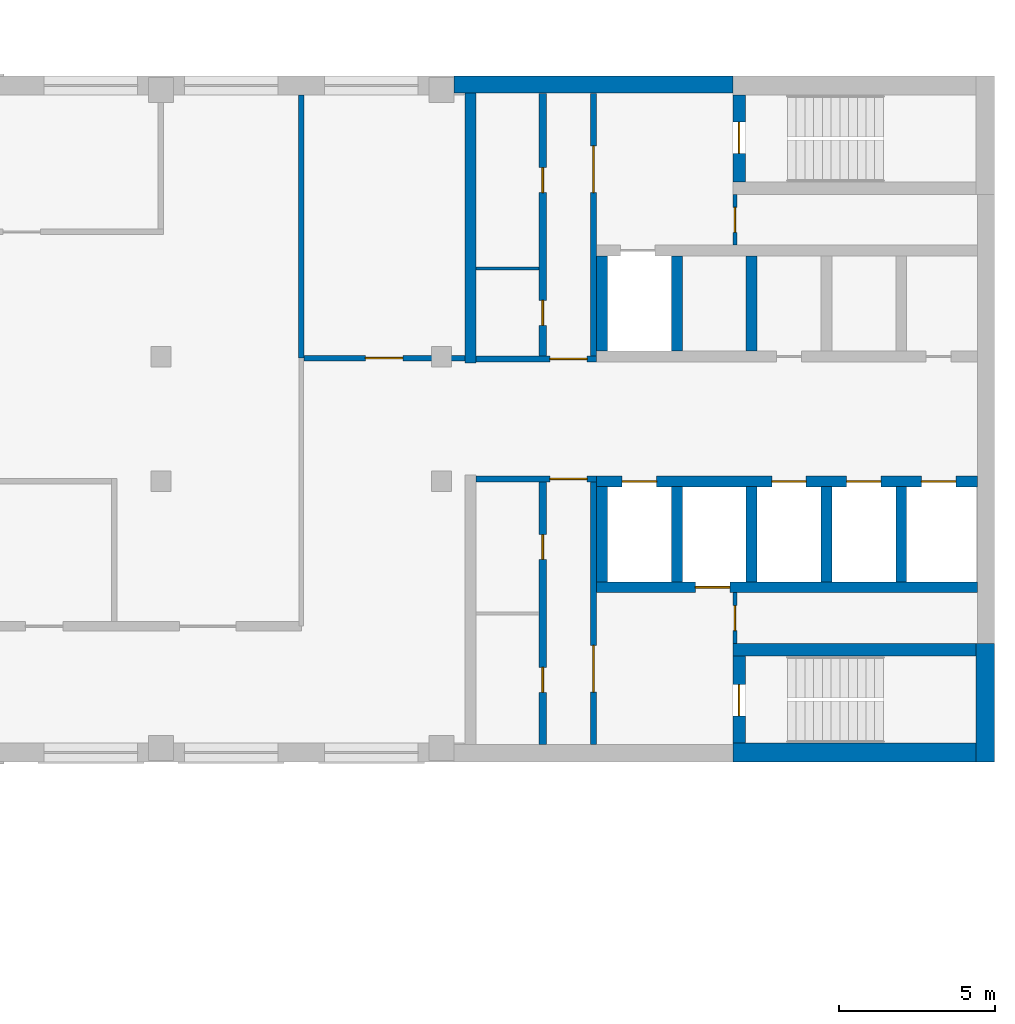
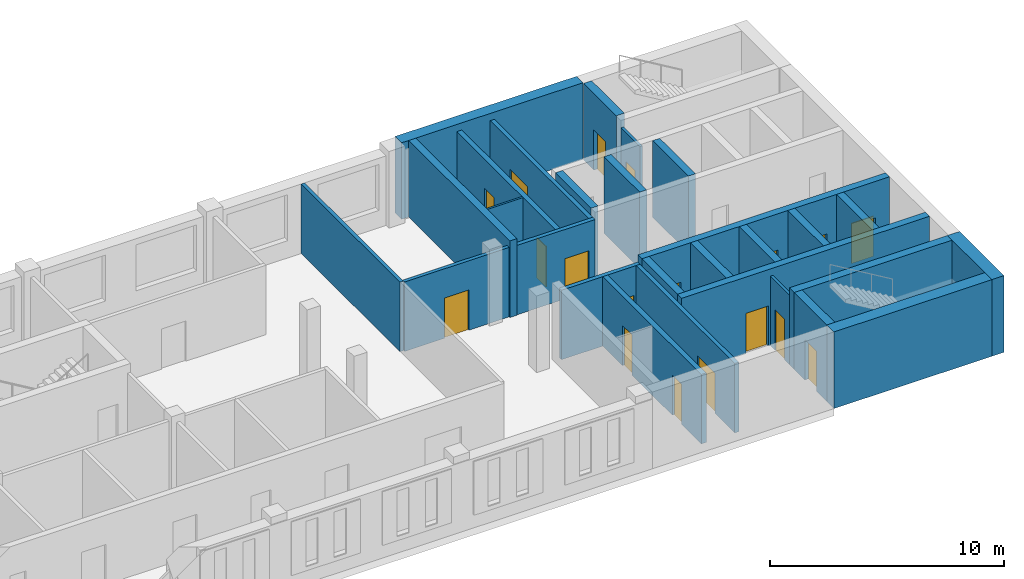
# One storey, part 6 of 11: 28 walls, 18 doors, 18 openings.
"""IFC4 building model written with IfcOpenShell, lengths in metres."""

from ifc_helpers import new_model, si_unit, direction, frame, frame_2d, origin, place, context, subcontext, project, spatial, rectangle, extrude, material, layer, layer_set, type_object, element, fill, save


model = new_model("IFC4")

# Units and contexts
model_context = context("Model", 3, precision=1e-05, world=origin(), true_north=direction((0.0, 1.0)))
body_context = subcontext(model_context, "Body", "Model", "MODEL_VIEW")
ifc_project = project(units=[si_unit("LENGTHUNIT", "METRE"), si_unit("AREAUNIT", "SQUARE_METRE"), si_unit("VOLUMEUNIT", "CUBIC_METRE"), si_unit("PLANEANGLEUNIT", "RADIAN"), si_unit("MASSUNIT", "GRAM", prefix="KILO")], contexts=[model_context])

# Site, building, storey
site_placement = place(None, origin())
site = spatial("IfcSite", under=ifc_project, at=site_placement, CompositionType="ELEMENT")
building_placement = place(site_placement, origin())
building = spatial("IfcBuilding", under=site, at=building_placement, Name="Skarvind Civic Tower", CompositionType="ELEMENT")
storey_placement = place(building_placement, frame((0.0, 0.0, 142.5)))
storey = spatial("IfcBuildingStorey", under=building, at=storey_placement, Name="L33", CompositionType="ELEMENT", Elevation=142.5)

# Wall
ifc_material_1 = material(Name="Acoustic gypsum board on steel studs", Category="steel")
ifc_layer_1 = layer(ifc_material_1, 0.175048828125)
ifc_layer_set_1 = layer_set([ifc_layer_1], Name="ACOUSTIC MEETING-ROOM PARTITION 175")
wall_type_1 = type_object("IfcWallType", Name="ACOUSTIC MEETING-ROOM PARTITION 175", PredefinedType="PARTITIONING", material=ifc_layer_set_1)
wall_1_placement = place(storey_placement, frame((85.75, 129.949951171875, 0.0), z_axis=(0.0, 0.0, 1.0), x_axis=(0.0, 1.0, 0.0)))
element("IfcWall", 1, at=wall_1_placement, inside=storey, type_object=wall_type_1, Name="Partition 33.048", PredefinedType="PARTITIONING", context=body_context, shape_type="SweptSolid", body=[
    extrude(rectangle(XDim=8.449951171875, YDim=0.175048828125, at=frame_2d((4.22509765625, 0.0))), origin(), (0.0, 0.0, 1.0), 3.625),
])

# Wall, opening, door
wall_2_placement = place(storey_placement, frame((85.837890625, 129.949951171875, 0.0), z_axis=(0.0, 0.0, 1.0), x_axis=(1.0, 0.0, 0.0)))
wall_2 = element("IfcWall", 2, at=wall_2_placement, inside=storey, type_object=wall_type_1, Name="Partition 33.049", PredefinedType="PARTITIONING", context=body_context, shape_type="SweptSolid", body=[
    extrude(rectangle(XDim=5.162109375, YDim=0.175048828125, at=frame_2d((2.5810546875, 0.0))), origin(), (0.0, 0.0, 1.0), 3.625),
])
opening_1_placement = place(wall_2_placement, frame((1.970947265625, 0.0, 0.0)))
opening_1 = element("IfcOpeningElement", 3, at=opening_1_placement, cuts=wall_2, Name="Opening L33-D001", PredefinedType="OPENING", context=body_context, shape_type="SweptSolid", body=[
    extrude(rectangle(XDim=1.199951171875, YDim=2.10009765625, at=frame_2d((0.60009765625, 1.050048828125))), frame((0.0, 0.097412109375, 0.0), z_axis=(0.0, -1.0, 0.0), x_axis=(1.0, 0.0, 0.0)), (0.0, 0.0, 1.0), 0.195068359375),
])
ifc_material_2 = material(Name="Timber door leaf", Category="wood")
door_type_1 = type_object("IfcDoorType", Name="DOOR 1200X2100 DOUBLE TIMBER", OperationType="NOTDEFINED", PredefinedType="DOOR", material=ifc_material_2)
door_1_placement = place(opening_1_placement, origin())
door_1 = element("IfcDoor", 4, at=door_1_placement, inside=storey, type_object=door_type_1, Name="Door L33-D001", OperationType="DOUBLE_DOOR_SINGLE_SWING", OverallHeight=2.10009765625, OverallWidth=1.199951171875, PredefinedType="DOOR", context=body_context, shape_type="SweptSolid", body=[
    extrude(rectangle(XDim=1.199951171875, YDim=2.10009765625, at=frame_2d((0.60009765625, 1.050048828125))), frame((0.0, 0.02490234375, 0.0), z_axis=(0.0, -1.0, 0.0), x_axis=(1.0, 0.0, 0.0)), (0.0, 0.0, 1.0), 0.050048828125),
])
fill(opening_1, door_1)

ifc_material_3 = material(Name="Fire-rated masonry partition", Category="masonry")
ifc_layer_2 = layer(ifc_material_3, 0.199951171875)
ifc_layer_set_2 = layer_set([ifc_layer_2], Name="Core enclosure wall 200")
wall_type_2 = type_object("IfcWallType", Name="Core enclosure wall 200", PredefinedType="PARTITIONING", material=ifc_layer_set_2)
wall_3_placement = place(storey_placement, frame((95.22509765625, 126.074951171875, 0.0), z_axis=(0.0, 0.0, 1.0), x_axis=(-1.0, 0.0, 0.0)))
wall_3 = element("IfcWall", 5, at=wall_3_placement, inside=storey, type_object=wall_type_2, Name="Core wall C1", PredefinedType="PARTITIONING", context=body_context, shape_type="SweptSolid", body=[
    extrude(rectangle(XDim=3.875, YDim=0.199951171875, at=frame_2d((1.9375, 0.0))), origin(), (0.0, 0.0, 1.0), 3.625),
])
opening_2_placement = place(wall_3_placement, frame((0.300048828125, 0.0, 0.0)))
opening_2 = element("IfcOpeningElement", 6, at=opening_2_placement, cuts=wall_3, Name="Opening D-L33-C1-07", PredefinedType="OPENING", context=body_context, shape_type="SweptSolid", body=[
    extrude(rectangle(XDim=1.199951171875, YDim=2.10009765625, at=frame_2d((0.60009765625, 1.050048828125))), frame((0.0, 0.10986328125, 0.0), z_axis=(0.0, -1.0, 0.0), x_axis=(1.0, 0.0, 0.0)), (0.0, 0.0, 1.0), 0.219970703125),
])
ifc_material_4 = material(Name="Fire-rated steel door", Category="steel")
door_type_2 = type_object("IfcDoorType", Name="Core lobby door 1200", OperationType="NOTDEFINED", PredefinedType="DOOR", material=ifc_material_4)
door_2_placement = place(opening_2_placement, origin())
door_2 = element("IfcDoor", 7, at=door_2_placement, inside=storey, type_object=door_type_2, Name="Fire door", OperationType="DOUBLE_DOOR_SINGLE_SWING", OverallHeight=2.10009765625, OverallWidth=1.199951171875, PredefinedType="DOOR", context=body_context, shape_type="SweptSolid", body=[
    extrude(rectangle(XDim=1.199951171875, YDim=2.10009765625, at=frame_2d((0.60009765625, 1.050048828125))), frame((0.0, 0.02490234375, 0.0), z_axis=(0.0, -1.0, 0.0), x_axis=(1.0, 0.0, 0.0)), (0.0, 0.0, 1.0), 0.050048828125),
])
fill(opening_2, door_2)

wall_4_placement = place(storey_placement, frame((95.125, 117.550048828125, 0.0), z_axis=(0.0, 0.0, 1.0), x_axis=(0.0, 1.0, 0.0)))
wall_4 = element("IfcWall", 8, at=wall_4_placement, inside=storey, type_object=wall_type_2, Name="Core wall C1", PredefinedType="PARTITIONING", context=body_context, shape_type="SweptSolid", body=[
    extrude(rectangle(XDim=8.425048828125, YDim=0.199951171875, at=frame_2d((4.21240234375, 0.0))), origin(), (0.0, 0.0, 1.0), 3.625),
])
opening_3_placement = place(wall_4_placement, frame((1.6875, 0.0, 0.0)))
opening_3 = element("IfcOpeningElement", 9, at=opening_3_placement, cuts=wall_4, Name="Opening D-L33-C1-08", PredefinedType="OPENING", context=body_context, shape_type="SweptSolid", body=[
    extrude(rectangle(XDim=1.5, YDim=2.10009765625, at=frame_2d((0.75, 1.050048828125))), frame((0.0, 0.10986328125, 0.0), z_axis=(0.0, -1.0, 0.0), x_axis=(1.0, 0.0, 0.0)), (0.0, 0.0, 1.0), 0.219970703125),
])
door_type_3 = type_object("IfcDoorType", Name="Fire door 1500", OperationType="NOTDEFINED", PredefinedType="DOOR", material=ifc_material_4)
door_3_placement = place(opening_3_placement, origin())
door_3 = element("IfcDoor", 10, at=door_3_placement, inside=storey, type_object=door_type_3, Name="Fire door", OperationType="DOUBLE_DOOR_SINGLE_SWING", OverallHeight=2.10009765625, OverallWidth=1.5, PredefinedType="DOOR", context=body_context, shape_type="SweptSolid", body=[
    extrude(rectangle(XDim=1.5, YDim=2.10009765625, at=frame_2d((0.75, 1.050048828125))), frame((0.0, 0.02490234375, 0.0), z_axis=(0.0, -1.0, 0.0), x_axis=(1.0, 0.0, 0.0)), (0.0, 0.0, 1.0), 0.050048828125),
])
fill(opening_3, door_3)

wall_5_placement = place(storey_placement, frame((91.35009765625, 129.925048828125, 0.0), z_axis=(0.0, 0.0, 1.0), x_axis=(1.0, 0.0, 0.0)))
wall_5 = element("IfcWall", 11, at=wall_5_placement, inside=storey, type_object=wall_type_2, Name="Core wall C1", PredefinedType="PARTITIONING", context=body_context, shape_type="SweptSolid", body=[
    extrude(rectangle(XDim=3.875, YDim=0.199951171875, at=frame_2d((1.9375, 0.0))), origin(), (0.0, 0.0, 1.0), 3.625),
])
opening_4_placement = place(wall_5_placement, frame((2.375, 0.0, 0.0)))
opening_4 = element("IfcOpeningElement", 12, at=opening_4_placement, cuts=wall_5, Name="Opening D-L33-C1-13", PredefinedType="OPENING", context=body_context, shape_type="SweptSolid", body=[
    extrude(rectangle(XDim=1.199951171875, YDim=2.10009765625, at=frame_2d((0.60009765625, 1.050048828125))), frame((0.0, 0.10986328125, 0.0), z_axis=(0.0, -1.0, 0.0), x_axis=(1.0, 0.0, 0.0)), (0.0, 0.0, 1.0), 0.219970703125),
])
door_4_placement = place(opening_4_placement, origin())
door_4 = element("IfcDoor", 13, at=door_4_placement, inside=storey, type_object=door_type_2, Name="Fire door", OperationType="DOUBLE_DOOR_SINGLE_SWING", OverallHeight=2.10009765625, OverallWidth=1.199951171875, PredefinedType="DOOR", context=body_context, shape_type="SweptSolid", body=[
    extrude(rectangle(XDim=1.199951171875, YDim=2.10009765625, at=frame_2d((0.60009765625, 1.050048828125))), frame((0.0, 0.02490234375, 0.0), z_axis=(0.0, -1.0, 0.0), x_axis=(1.0, 0.0, 0.0)), (0.0, 0.0, 1.0), 0.050048828125),
])
fill(opening_4, door_4)

wall_6_placement = place(storey_placement, frame((95.125, 130.02490234375, 0.0), z_axis=(0.0, 0.0, 1.0), x_axis=(0.0, 1.0, 0.0)))
wall_6 = element("IfcWall", 14, at=wall_6_placement, inside=storey, type_object=wall_type_2, Name="Core wall C1", PredefinedType="PARTITIONING", context=body_context, shape_type="SweptSolid", body=[
    extrude(rectangle(XDim=8.425048828125, YDim=0.199951171875, at=frame_2d((4.21240234375, 0.0))), origin(), (0.0, 0.0, 1.0), 3.625),
])
opening_5_placement = place(wall_6_placement, frame((5.237548828125, 0.0, 0.0)))
opening_5 = element("IfcOpeningElement", 15, at=opening_5_placement, cuts=wall_6, Name="Opening D-L33-C1-14", PredefinedType="OPENING", context=body_context, shape_type="SweptSolid", body=[
    extrude(rectangle(XDim=1.5, YDim=2.10009765625, at=frame_2d((0.75, 1.050048828125))), frame((0.0, 0.10986328125, 0.0), z_axis=(0.0, -1.0, 0.0), x_axis=(1.0, 0.0, 0.0)), (0.0, 0.0, 1.0), 0.219970703125),
])
door_5_placement = place(opening_5_placement, origin())
door_5 = element("IfcDoor", 16, at=door_5_placement, inside=storey, type_object=door_type_3, Name="Fire door", OperationType="DOUBLE_DOOR_SINGLE_SWING", OverallHeight=2.10009765625, OverallWidth=1.5, PredefinedType="DOOR", context=body_context, shape_type="SweptSolid", body=[
    extrude(rectangle(XDim=1.5, YDim=2.10009765625, at=frame_2d((0.75, 1.050048828125))), frame((0.0, 0.02490234375, 0.0), z_axis=(0.0, -1.0, 0.0), x_axis=(1.0, 0.0, 0.0)), (0.0, 0.0, 1.0), 0.050048828125),
])
fill(opening_5, door_5)

# Walls
ifc_material_5 = material(Name="Fire-rated plasterboard partition")
ifc_layer_3 = layer(ifc_material_5, 0.10009765625)
ifc_layer_set_3 = layer_set([ifc_layer_3], Name="Core partition wall 100")
wall_type_3 = type_object("IfcWallType", Name="Core partition wall 100", PredefinedType="PARTITIONING", material=ifc_layer_set_3)
wall_7_placement = place(storey_placement, frame((91.35009765625, 132.830078125, 0.0), z_axis=(0.0, 0.0, 1.0), x_axis=(1.0, 0.0, 0.0)))
element("IfcWall", 17, at=wall_7_placement, inside=storey, type_object=wall_type_3, Name="Core wall C1", PredefinedType="PARTITIONING", context=body_context, shape_type="SweptSolid", body=[
    extrude(rectangle(XDim=2.02490234375, YDim=0.10009765625, at=frame_2d((1.012451171875, 0.0))), origin(), (0.0, 0.0, 1.0), 3.625),
])
ifc_material_6 = material(Name="Concrete C60", Category="concrete")
ifc_layer_4 = layer(ifc_material_6, 0.35009765625)
ifc_layer_set_4 = layer_set([ifc_layer_4], Name="Core wall 350 C60")
wall_type_4 = type_object("IfcWallType", Name="Core wall 350 C60", PredefinedType="SHEAR", material=ifc_layer_set_4)
for number, where, z_axis, x_axis, name in (
    (18, (100.199951171875, 133.22509765625, 0.0), (0.0, 0.0, 1.0), (0.0, -1.0, 0.0), "Core wall C1 south lift row division 3 L33"),
    (19, (97.800048828125, 133.22509765625, 0.0), (0.0, 0.0, 1.0), (0.0, -1.0, 0.0), "Core wall C1 south lift row division 4 L33"),
    (20, (95.39990234375, 133.22509765625, 0.0), (0.0, 0.0, 1.0), (0.0, -1.0, 0.0), "Core wall C1 south lift row division 5 L33"),
):
    element("IfcWall", number, at=place(storey_placement, frame(where, z_axis=z_axis, x_axis=x_axis)), inside=storey, type_object=wall_type_4, Name=name, PredefinedType="SHEAR", context=body_context, shape_type="SweptSolid", body=[
        extrude(rectangle(XDim=3.050048828125, YDim=0.35009765625, at=frame_2d((1.52490234375, 0.0))), origin(), (0.0, 0.0, 1.0), 4.0),
    ])

# Wall, openings, doors
wall_8_placement = place(storey_placement, frame((107.449951171875, 126.0, 0.0), z_axis=(0.0, 0.0, 1.0), x_axis=(-1.0, 0.0, 0.0)))
wall_8 = element("IfcWall", 21, at=wall_8_placement, inside=storey, type_object=wall_type_4, Name="Core wall C1 north lift row front L33", PredefinedType="SHEAR", context=body_context, shape_type="SweptSolid", body=[
    extrude(rectangle(XDim=12.224853515625, YDim=0.35009765625, at=frame_2d((6.1123046875, 0.0))), origin(), (0.0, 0.0, 1.0), 4.0),
])
opening_6_placement = place(wall_8_placement, frame((0.699951171875, 0.0, 0.0)))
opening_6 = element("IfcOpeningElement", 22, at=opening_6_placement, cuts=wall_8, Name="Opening LD35101", PredefinedType="OPENING", context=body_context, shape_type="SweptSolid", body=[
    extrude(rectangle(XDim=1.10009765625, YDim=2.10009765625, at=frame_2d((0.550048828125, 1.050048828125))), frame((0.0, 0.18505859375, 0.0), z_axis=(0.0, -1.0, 0.0), x_axis=(1.0, 0.0, 0.0)), (0.0, 0.0, 1.0), 0.3701171875),
])
opening_7_placement = place(wall_8_placement, frame((3.10009765625, 0.0, 0.0)))
opening_7 = element("IfcOpeningElement", 23, at=opening_7_placement, cuts=wall_8, Name="Opening LD35102", PredefinedType="OPENING", context=body_context, shape_type="SweptSolid", body=[
    extrude(rectangle(XDim=1.10009765625, YDim=2.10009765625, at=frame_2d((0.550048828125, 1.050048828125))), frame((0.0, 0.18505859375, 0.0), z_axis=(0.0, -1.0, 0.0), x_axis=(1.0, 0.0, 0.0)), (0.0, 0.0, 1.0), 0.3701171875),
])
opening_8_placement = place(wall_8_placement, frame((5.5, 0.0, 0.0)))
opening_8 = element("IfcOpeningElement", 24, at=opening_8_placement, cuts=wall_8, Name="Opening LD35103", PredefinedType="OPENING", context=body_context, shape_type="SweptSolid", body=[
    extrude(rectangle(XDim=1.10009765625, YDim=2.10009765625, at=frame_2d((0.550048828125, 1.050048828125))), frame((0.0, 0.18505859375, 0.0), z_axis=(0.0, -1.0, 0.0), x_axis=(1.0, 0.0, 0.0)), (0.0, 0.0, 1.0), 0.3701171875),
])
opening_9_placement = place(wall_8_placement, frame((10.300048828125, 0.0, 0.0)))
opening_9 = element("IfcOpeningElement", 25, at=opening_9_placement, cuts=wall_8, Name="Opening LD35105", PredefinedType="OPENING", context=body_context, shape_type="SweptSolid", body=[
    extrude(rectangle(XDim=1.10009765625, YDim=2.10009765625, at=frame_2d((0.550048828125, 1.050048828125))), frame((0.0, 0.18505859375, 0.0), z_axis=(0.0, -1.0, 0.0), x_axis=(1.0, 0.0, 0.0)), (0.0, 0.0, 1.0), 0.3701171875),
])
ifc_material_7 = material(Name="Stainless steel landing door", Category="steel")
door_type_4 = type_object("IfcDoorType", Name="Lift landing door 1100", OperationType="DOUBLE_DOOR_SLIDING", PredefinedType="DOOR", material=ifc_material_7)
door_6_placement = place(opening_6_placement, origin())
door_6 = element("IfcDoor", 26, at=door_6_placement, inside=storey, type_object=door_type_4, Name="Lift landing door", OperationType="DOUBLE_DOOR_SLIDING", OverallHeight=2.10009765625, OverallWidth=1.10009765625, PredefinedType="DOOR", context=body_context, shape_type="SweptSolid", body=[
    extrude(rectangle(XDim=1.10009765625, YDim=2.10009765625, at=frame_2d((0.550048828125, 1.050048828125))), frame((0.0, 0.02490234375, 0.0), z_axis=(0.0, -1.0, 0.0), x_axis=(1.0, 0.0, 0.0)), (0.0, 0.0, 1.0), 0.050048828125),
])
fill(opening_6, door_6)
door_7_placement = place(opening_7_placement, origin())
door_7 = element("IfcDoor", 27, at=door_7_placement, inside=storey, type_object=door_type_4, Name="Lift landing door", OperationType="DOUBLE_DOOR_SLIDING", OverallHeight=2.10009765625, OverallWidth=1.10009765625, PredefinedType="DOOR", context=body_context, shape_type="SweptSolid", body=[
    extrude(rectangle(XDim=1.10009765625, YDim=2.10009765625, at=frame_2d((0.550048828125, 1.050048828125))), frame((0.0, 0.02490234375, 0.0), z_axis=(0.0, -1.0, 0.0), x_axis=(1.0, 0.0, 0.0)), (0.0, 0.0, 1.0), 0.050048828125),
])
fill(opening_7, door_7)
door_8_placement = place(opening_8_placement, origin())
door_8 = element("IfcDoor", 28, at=door_8_placement, inside=storey, type_object=door_type_4, Name="Lift landing door", OperationType="DOUBLE_DOOR_SLIDING", OverallHeight=2.10009765625, OverallWidth=1.10009765625, PredefinedType="DOOR", context=body_context, shape_type="SweptSolid", body=[
    extrude(rectangle(XDim=1.10009765625, YDim=2.10009765625, at=frame_2d((0.550048828125, 1.050048828125))), frame((0.0, 0.02490234375, 0.0), z_axis=(0.0, -1.0, 0.0), x_axis=(1.0, 0.0, 0.0)), (0.0, 0.0, 1.0), 0.050048828125),
])
fill(opening_8, door_8)
door_9_placement = place(opening_9_placement, origin())
door_9 = element("IfcDoor", 29, at=door_9_placement, inside=storey, type_object=door_type_4, Name="Lift landing door", OperationType="DOUBLE_DOOR_SLIDING", OverallHeight=2.10009765625, OverallWidth=1.10009765625, PredefinedType="DOOR", context=body_context, shape_type="SweptSolid", body=[
    extrude(rectangle(XDim=1.10009765625, YDim=2.10009765625, at=frame_2d((0.550048828125, 1.050048828125))), frame((0.0, 0.02490234375, 0.0), z_axis=(0.0, -1.0, 0.0), x_axis=(1.0, 0.0, 0.0)), (0.0, 0.0, 1.0), 0.050048828125),
])
fill(opening_9, door_9)

# Wall, opening, door
wall_9_placement = place(storey_placement, frame((107.449951171875, 122.60009765625, 0.0), z_axis=(0.0, 0.0, 1.0), x_axis=(-1.0, 0.0, 0.0)))
wall_9 = element("IfcWall", 30, at=wall_9_placement, inside=storey, type_object=wall_type_4, Name="Core wall C1 north lift row back L33", PredefinedType="SHEAR", context=body_context, shape_type="SweptSolid", body=[
    extrude(rectangle(XDim=12.224853515625, YDim=0.35009765625, at=frame_2d((6.1123046875, 0.0))), origin(), (0.0, 0.0, 1.0), 4.0),
])
opening_10_placement = place(wall_9_placement, frame((7.949951171875, 0.0, 0.0)))
opening_10 = element("IfcOpeningElement", 31, at=opening_10_placement, cuts=wall_9, Name="Opening LD35104", PredefinedType="OPENING", context=body_context, shape_type="SweptSolid", body=[
    extrude(rectangle(XDim=1.10009765625, YDim=2.10009765625, at=frame_2d((0.550048828125, 1.050048828125))), frame((0.0, 0.18505859375, 0.0), z_axis=(0.0, -1.0, 0.0), x_axis=(1.0, 0.0, 0.0)), (0.0, 0.0, 1.0), 0.3701171875),
])
door_10_placement = place(opening_10_placement, origin())
door_10 = element("IfcDoor", 32, at=door_10_placement, inside=storey, type_object=door_type_4, Name="Lift landing door", OperationType="DOUBLE_DOOR_SLIDING", OverallHeight=2.10009765625, OverallWidth=1.10009765625, PredefinedType="DOOR", context=body_context, shape_type="SweptSolid", body=[
    extrude(rectangle(XDim=1.10009765625, YDim=2.10009765625, at=frame_2d((0.550048828125, 1.050048828125))), frame((0.0, 0.02490234375, 0.0), z_axis=(0.0, -1.0, 0.0), x_axis=(1.0, 0.0, 0.0)), (0.0, 0.0, 1.0), 0.050048828125),
])
fill(opening_10, door_10)

# Walls
for number, where, z_axis, x_axis, name in (
    (33, (105.0, 125.824951171875, 0.0), (0.0, 0.0, 1.0), (0.0, -1.0, 0.0), "Core wall C1 north lift row division 1 L33"),
    (34, (102.60009765625, 125.824951171875, 0.0), (0.0, 0.0, 1.0), (0.0, -1.0, 0.0), "Core wall C1 north lift row division 2 L33"),
    (35, (100.199951171875, 125.824951171875, 0.0), (0.0, 0.0, 1.0), (0.0, -1.0, 0.0), "Core wall C1 north lift row division 3 L33"),
    (36, (97.800048828125, 125.824951171875, 0.0), (0.0, 0.0, 1.0), (0.0, -1.0, 0.0), "Core wall C1 north lift row division 4 L33"),
    (37, (95.39990234375, 125.824951171875, 0.0), (0.0, 0.0, 1.0), (0.0, -1.0, 0.0), "Core wall C1 north lift row division 5 L33"),
):
    element("IfcWall", number, at=place(storey_placement, frame(where, z_axis=z_axis, x_axis=x_axis)), inside=storey, type_object=wall_type_4, Name=name, PredefinedType="SHEAR", context=body_context, shape_type="SweptSolid", body=[
        extrude(rectangle(XDim=3.050048828125, YDim=0.35009765625, at=frame_2d((1.52490234375, 0.0))), origin(), (0.0, 0.0, 1.0), 4.0),
    ])
wall_10_placement = place(storey_placement, frame((91.175048828125, 138.449951171875, 0.0), z_axis=(0.0, 0.0, 1.0), x_axis=(0.0, -1.0, 0.0)))
element("IfcWall", 38, at=wall_10_placement, inside=storey, type_object=wall_type_4, Name="Core wall C1 south inner face L33", PredefinedType="SHEAR", context=body_context, shape_type="SweptSolid", body=[
    extrude(rectangle(XDim=8.64990234375, YDim=0.35009765625, at=frame_2d((4.324951171875, 0.0))), origin(), (0.0, 0.0, 1.0), 4.0),
])

# Wall, opening, door
ifc_layer_5 = layer(ifc_material_6, 0.39990234375)
ifc_layer_set_5 = layer_set([ifc_layer_5], Name="Core wall 400 C60")
wall_type_5 = type_object("IfcWallType", Name="Core wall 400 C60", PredefinedType="SHEAR", material=ifc_layer_set_5)
wall_11_placement = place(storey_placement, frame((99.800048828125, 138.39990234375, 0.0), z_axis=(0.0, 0.0, 1.0), x_axis=(0.0, -1.0, 0.0)))
wall_11 = element("IfcWall", 39, at=wall_11_placement, inside=storey, type_object=wall_type_5, Name="Core wall C1 south stair end L33", PredefinedType="SHEAR", context=body_context, shape_type="SweptSolid", body=[
    extrude(rectangle(XDim=2.7998046875, YDim=0.39990234375, at=frame_2d((1.39990234375, 0.0))), origin(), (0.0, 0.0, 1.0), 4.0),
])
opening_11_placement = place(wall_11_placement, frame((0.875, 0.0, 0.0)))
opening_11 = element("IfcOpeningElement", 40, at=opening_11_placement, cuts=wall_11, Name="Opening D-L33-C1-15", PredefinedType="OPENING", context=body_context, shape_type="SweptSolid", body=[
    extrude(rectangle(XDim=1.0, YDim=2.10009765625, at=frame_2d((0.5, 1.050048828125))), frame((0.0, 0.2099609375, 0.0), z_axis=(0.0, -1.0, 0.0), x_axis=(1.0, 0.0, 0.0)), (0.0, 0.0, 1.0), 0.419921875),
])
door_type_5 = type_object("IfcDoorType", Name="Fire door 1000", OperationType="NOTDEFINED", PredefinedType="DOOR", material=ifc_material_4)
door_11_placement = place(opening_11_placement, origin())
door_11 = element("IfcDoor", 41, at=door_11_placement, inside=storey, type_object=door_type_5, Name="Fire door", OperationType="SINGLE_SWING_RIGHT", OverallHeight=2.10009765625, OverallWidth=1.0, PredefinedType="DOOR", context=body_context, shape_type="SweptSolid", body=[
    extrude(rectangle(XDim=1.0, YDim=2.10009765625, at=frame_2d((0.5, 1.050048828125))), frame((0.0, 0.02490234375, 0.0), z_axis=(0.0, -1.0, 0.0), x_axis=(1.0, 0.0, 0.0)), (0.0, 0.0, 1.0), 0.050048828125),
])
fill(opening_11, door_11)

# Wall
wall_12_placement = place(storey_placement, frame((107.39990234375, 120.60009765625, 0.0), z_axis=(0.0, 0.0, 1.0), x_axis=(-1.0, 0.0, 0.0)))
element("IfcWall", 42, at=wall_12_placement, inside=storey, type_object=wall_type_5, Name="Core wall C1 north stair inner L33", PredefinedType="SHEAR", context=body_context, shape_type="SweptSolid", body=[
    extrude(rectangle(XDim=7.7998046875, YDim=0.39990234375, at=frame_2d((3.89990234375, 0.0))), origin(), (0.0, 0.0, 1.0), 4.0),
])

# Wall, opening, door
wall_13_placement = place(storey_placement, frame((99.800048828125, 120.39990234375, 0.0), z_axis=(0.0, 0.0, 1.0), x_axis=(0.0, -1.0, 0.0)))
wall_13 = element("IfcWall", 43, at=wall_13_placement, inside=storey, type_object=wall_type_5, Name="Core wall C1 north stair end L33", PredefinedType="SHEAR", context=body_context, shape_type="SweptSolid", body=[
    extrude(rectangle(XDim=2.7998046875, YDim=0.39990234375, at=frame_2d((1.39990234375, 0.0))), origin(), (0.0, 0.0, 1.0), 4.0),
])
opening_12_placement = place(wall_13_placement, frame((0.925048828125, 0.0, 0.0)))
opening_12 = element("IfcOpeningElement", 44, at=opening_12_placement, cuts=wall_13, Name="Opening D-L33-C1-09", PredefinedType="OPENING", context=body_context, shape_type="SweptSolid", body=[
    extrude(rectangle(XDim=1.0, YDim=2.10009765625, at=frame_2d((0.5, 1.050048828125))), frame((0.0, 0.2099609375, 0.0), z_axis=(0.0, -1.0, 0.0), x_axis=(1.0, 0.0, 0.0)), (0.0, 0.0, 1.0), 0.419921875),
])
door_12_placement = place(opening_12_placement, origin())
door_12 = element("IfcDoor", 45, at=door_12_placement, inside=storey, type_object=door_type_5, Name="Fire door", OperationType="SINGLE_SWING_LEFT", OverallHeight=2.10009765625, OverallWidth=1.0, PredefinedType="DOOR", context=body_context, shape_type="SweptSolid", body=[
    extrude(rectangle(XDim=1.0, YDim=2.10009765625, at=frame_2d((0.5, 1.050048828125))), frame((0.0, 0.02490234375, 0.0), z_axis=(0.0, -1.0, 0.0), x_axis=(1.0, 0.0, 0.0)), (0.0, 0.0, 1.0), 0.050048828125),
])
fill(opening_12, door_12)

# Walls
ifc_layer_6 = layer(ifc_material_6, 0.550048828125)
ifc_layer_set_6 = layer_set([ifc_layer_6], Name="Core wall 550 C60")
wall_type_6 = type_object("IfcWallType", Name="Core wall 550 C60", PredefinedType="SHEAR", material=ifc_layer_set_6)
wall_14_placement = place(storey_placement, frame((99.60009765625, 138.72509765625, 0.0), z_axis=(0.0, 0.0, 1.0), x_axis=(-1.0, 0.0, 0.0)))
element("IfcWall", 46, at=wall_14_placement, inside=storey, type_object=wall_type_6, Name="Core wall C1 south side L33", PredefinedType="SHEAR", context=body_context, shape_type="SweptSolid", body=[
    extrude(rectangle(XDim=8.9501953125, YDim=0.550048828125, at=frame_2d((4.47509765625, 0.0))), origin(), (0.0, 0.0, 1.0), 4.0),
])
ifc_layer_7 = layer(ifc_material_6, 0.60009765625)
ifc_layer_set_7 = layer_set([ifc_layer_7], Name="Core wall 600 C60")
wall_type_7 = type_object("IfcWallType", Name="Core wall 600 C60", PredefinedType="SHEAR", material=ifc_layer_set_7)
wall_15_placement = place(storey_placement, frame((107.699951171875, 120.800048828125, 0.0), z_axis=(0.0, 0.0, 1.0), x_axis=(0.0, -1.0, 0.0)))
element("IfcWall", 47, at=wall_15_placement, inside=storey, type_object=wall_type_7, Name="Core wall C1 tip at the north stair L33", PredefinedType="SHEAR", context=body_context, shape_type="SweptSolid", body=[
    extrude(rectangle(XDim=3.800048828125, YDim=0.60009765625, at=frame_2d((1.89990234375, 0.0))), origin(), (0.0, 0.0, 1.0), 4.0),
])
wall_16_placement = place(storey_placement, frame((107.39990234375, 117.300048828125, 0.0), z_axis=(0.0, 0.0, 1.0), x_axis=(-1.0, 0.0, 0.0)))
element("IfcWall", 48, at=wall_16_placement, inside=storey, type_object=wall_type_7, Name="Core wall C1 north side at the stair L33", PredefinedType="SHEAR", context=body_context, shape_type="SweptSolid", body=[
    extrude(rectangle(XDim=7.7998046875, YDim=0.60009765625, at=frame_2d((3.89990234375, 0.0))), origin(), (0.0, 0.0, 1.0), 4.0),
])

# Wall, opening, door
ifc_layer_8 = layer(ifc_material_3, 0.125)
ifc_layer_set_8 = layer_set([ifc_layer_8], Name="Riser wall 125")
wall_type_8 = type_object("IfcWallType", Name="Riser wall 125", PredefinedType="PARTITIONING", material=ifc_layer_set_8)
wall_17_placement = place(storey_placement, frame((99.66259765625, 120.800048828125, 0.0), z_axis=(0.0, 0.0, 1.0), x_axis=(0.0, 1.0, 0.0)))
wall_17 = element("IfcWall", 49, at=wall_17_placement, inside=storey, type_object=wall_type_8, Name="Core wall C1", PredefinedType="PARTITIONING", context=body_context, shape_type="SweptSolid", body=[
    extrude(rectangle(XDim=1.625, YDim=0.125, at=frame_2d((0.8125, 0.0))), origin(), (0.0, 0.0, 1.0), 3.625),
])
opening_13_placement = place(wall_17_placement, frame((0.41259765625, 0.0, 0.0)))
opening_13 = element("IfcOpeningElement", 50, at=opening_13_placement, cuts=wall_17, Name="Opening D-L33-C1-10", PredefinedType="OPENING", context=body_context, shape_type="SweptSolid", body=[
    extrude(rectangle(XDim=0.800048828125, YDim=2.10009765625, at=frame_2d((0.39990234375, 1.050048828125))), frame((0.0, 0.072509765625, 0.0), z_axis=(0.0, -1.0, 0.0), x_axis=(1.0, 0.0, 0.0)), (0.0, 0.0, 1.0), 0.14501953125),
])
door_type_6 = type_object("IfcDoorType", Name="Core riser door 800", OperationType="NOTDEFINED", PredefinedType="DOOR", material=ifc_material_4)
door_13_placement = place(opening_13_placement, origin())
door_13 = element("IfcDoor", 51, at=door_13_placement, inside=storey, type_object=door_type_6, Name="Riser door", OperationType="SINGLE_SWING_RIGHT", OverallHeight=2.10009765625, OverallWidth=0.800048828125, PredefinedType="DOOR", context=body_context, shape_type="SweptSolid", body=[
    extrude(rectangle(XDim=0.800048828125, YDim=2.10009765625, at=frame_2d((0.39990234375, 1.050048828125))), frame((0.0, 0.02490234375, 0.0), z_axis=(0.0, -1.0, 0.0), x_axis=(1.0, 0.0, 0.0)), (0.0, 0.0, 1.0), 0.050048828125),
])
fill(opening_13, door_13)

wall_18_placement = place(storey_placement, frame((99.66259765625, 133.574951171875, 0.0), z_axis=(0.0, 0.0, 1.0), x_axis=(0.0, 1.0, 0.0)))
wall_18 = element("IfcWall", 52, at=wall_18_placement, inside=storey, type_object=wall_type_8, Name="Core wall C1", PredefinedType="PARTITIONING", context=body_context, shape_type="SweptSolid", body=[
    extrude(rectangle(XDim=1.625, YDim=0.125, at=frame_2d((0.8125, 0.0))), origin(), (0.0, 0.0, 1.0), 3.625),
])
opening_14_placement = place(wall_18_placement, frame((0.41259765625, 0.0, 0.0)))
opening_14 = element("IfcOpeningElement", 53, at=opening_14_placement, cuts=wall_18, Name="Opening D-L33-C1-16", PredefinedType="OPENING", context=body_context, shape_type="SweptSolid", body=[
    extrude(rectangle(XDim=0.800048828125, YDim=2.10009765625, at=frame_2d((0.39990234375, 1.050048828125))), frame((0.0, 0.072509765625, 0.0), z_axis=(0.0, -1.0, 0.0), x_axis=(1.0, 0.0, 0.0)), (0.0, 0.0, 1.0), 0.14501953125),
])
door_14_placement = place(opening_14_placement, origin())
door_14 = element("IfcDoor", 54, at=door_14_placement, inside=storey, type_object=door_type_6, Name="Riser door", OperationType="SINGLE_SWING_LEFT", OverallHeight=2.10009765625, OverallWidth=0.800048828125, PredefinedType="DOOR", context=body_context, shape_type="SweptSolid", body=[
    extrude(rectangle(XDim=0.800048828125, YDim=2.10009765625, at=frame_2d((0.39990234375, 1.050048828125))), frame((0.0, 0.02490234375, 0.0), z_axis=(0.0, -1.0, 0.0), x_axis=(1.0, 0.0, 0.0)), (0.0, 0.0, 1.0), 0.050048828125),
])
fill(opening_14, door_14)

# Wall, openings, doors
ifc_layer_9 = layer(ifc_material_3, 0.25)
ifc_layer_set_9 = layer_set([ifc_layer_9], Name="Service block wall 250")
wall_type_9 = type_object("IfcWallType", Name="Service block wall 250", PredefinedType="PARTITIONING", material=ifc_layer_set_9)
wall_19_placement = place(storey_placement, frame((93.5, 117.550048828125, 0.0), z_axis=(0.0, 0.0, 1.0), x_axis=(0.0, 1.0, 0.0)))
wall_19 = element("IfcWall", 55, at=wall_19_placement, inside=storey, type_object=wall_type_9, Name="Core wall C1", PredefinedType="PARTITIONING", context=body_context, shape_type="SweptSolid", body=[
    extrude(rectangle(XDim=8.425048828125, YDim=0.25, at=frame_2d((4.21240234375, 0.0))), origin(), (0.0, 0.0, 1.0), 3.625),
])
opening_15_placement = place(wall_19_placement, frame((5.9423828125, 0.0, 0.0)))
opening_15 = element("IfcOpeningElement", 56, at=opening_15_placement, cuts=wall_19, Name="Opening D-L33-C1-11", PredefinedType="OPENING", context=body_context, shape_type="SweptSolid", body=[
    extrude(rectangle(XDim=0.800048828125, YDim=2.10009765625, at=frame_2d((0.39990234375, 1.050048828125))), frame((0.0, 0.135009765625, 0.0), z_axis=(0.0, -1.0, 0.0), x_axis=(1.0, 0.0, 0.0)), (0.0, 0.0, 1.0), 0.27001953125),
])
opening_16_placement = place(wall_19_placement, frame((1.679931640625, 0.0, 0.0)))
opening_16 = element("IfcOpeningElement", 57, at=opening_16_placement, cuts=wall_19, Name="Opening D-L33-C1-12", PredefinedType="OPENING", context=body_context, shape_type="SweptSolid", body=[
    extrude(rectangle(XDim=0.800048828125, YDim=2.10009765625, at=frame_2d((0.39990234375, 1.050048828125))), frame((0.0, 0.135009765625, 0.0), z_axis=(0.0, -1.0, 0.0), x_axis=(1.0, 0.0, 0.0)), (0.0, 0.0, 1.0), 0.27001953125),
])
door_15_placement = place(opening_15_placement, origin())
door_15 = element("IfcDoor", 58, at=door_15_placement, inside=storey, type_object=door_type_6, Name="Riser door", OperationType="SINGLE_SWING_LEFT", OverallHeight=2.10009765625, OverallWidth=0.800048828125, PredefinedType="DOOR", context=body_context, shape_type="SweptSolid", body=[
    extrude(rectangle(XDim=0.800048828125, YDim=2.10009765625, at=frame_2d((0.39990234375, 1.050048828125))), frame((0.0, 0.02490234375, 0.0), z_axis=(0.0, -1.0, 0.0), x_axis=(1.0, 0.0, 0.0)), (0.0, 0.0, 1.0), 0.050048828125),
])
fill(opening_15, door_15)
door_16_placement = place(opening_16_placement, origin())
door_16 = element("IfcDoor", 59, at=door_16_placement, inside=storey, type_object=door_type_6, Name="Riser door", OperationType="SINGLE_SWING_RIGHT", OverallHeight=2.10009765625, OverallWidth=0.800048828125, PredefinedType="DOOR", context=body_context, shape_type="SweptSolid", body=[
    extrude(rectangle(XDim=0.800048828125, YDim=2.10009765625, at=frame_2d((0.39990234375, 1.050048828125))), frame((0.0, 0.02490234375, 0.0), z_axis=(0.0, -1.0, 0.0), x_axis=(1.0, 0.0, 0.0)), (0.0, 0.0, 1.0), 0.050048828125),
])
fill(opening_16, door_16)

wall_20_placement = place(storey_placement, frame((93.5, 130.02490234375, 0.0), z_axis=(0.0, 0.0, 1.0), x_axis=(0.0, 1.0, 0.0)))
wall_20 = element("IfcWall", 60, at=wall_20_placement, inside=storey, type_object=wall_type_9, Name="Core wall C1", PredefinedType="PARTITIONING", context=body_context, shape_type="SweptSolid", body=[
    extrude(rectangle(XDim=8.425048828125, YDim=0.25, at=frame_2d((4.21240234375, 0.0))), origin(), (0.0, 0.0, 1.0), 3.625),
])
opening_17_placement = place(wall_20_placement, frame((0.9775390625, 0.0, 0.0)))
opening_17 = element("IfcOpeningElement", 61, at=opening_17_placement, cuts=wall_20, Name="Opening D-L33-C1-17", PredefinedType="OPENING", context=body_context, shape_type="SweptSolid", body=[
    extrude(rectangle(XDim=0.800048828125, YDim=2.10009765625, at=frame_2d((0.39990234375, 1.050048828125))), frame((0.0, 0.135009765625, 0.0), z_axis=(0.0, -1.0, 0.0), x_axis=(1.0, 0.0, 0.0)), (0.0, 0.0, 1.0), 0.27001953125),
])
opening_18_placement = place(wall_20_placement, frame((5.239990234375, 0.0, 0.0)))
opening_18 = element("IfcOpeningElement", 62, at=opening_18_placement, cuts=wall_20, Name="Opening D-L33-C1-18", PredefinedType="OPENING", context=body_context, shape_type="SweptSolid", body=[
    extrude(rectangle(XDim=0.800048828125, YDim=2.10009765625, at=frame_2d((0.39990234375, 1.050048828125))), frame((0.0, 0.135009765625, 0.0), z_axis=(0.0, -1.0, 0.0), x_axis=(1.0, 0.0, 0.0)), (0.0, 0.0, 1.0), 0.27001953125),
])
door_17_placement = place(opening_17_placement, origin())
door_17 = element("IfcDoor", 63, at=door_17_placement, inside=storey, type_object=door_type_6, Name="Riser door", OperationType="SINGLE_SWING_RIGHT", OverallHeight=2.10009765625, OverallWidth=0.800048828125, PredefinedType="DOOR", context=body_context, shape_type="SweptSolid", body=[
    extrude(rectangle(XDim=0.800048828125, YDim=2.10009765625, at=frame_2d((0.39990234375, 1.050048828125))), frame((0.0, 0.02490234375, 0.0), z_axis=(0.0, -1.0, 0.0), x_axis=(1.0, 0.0, 0.0)), (0.0, 0.0, 1.0), 0.050048828125),
])
fill(opening_17, door_17)
door_18_placement = place(opening_18_placement, origin())
door_18 = element("IfcDoor", 64, at=door_18_placement, inside=storey, type_object=door_type_6, Name="Riser door", OperationType="SINGLE_SWING_LEFT", OverallHeight=2.10009765625, OverallWidth=0.800048828125, PredefinedType="DOOR", context=body_context, shape_type="SweptSolid", body=[
    extrude(rectangle(XDim=0.800048828125, YDim=2.10009765625, at=frame_2d((0.39990234375, 1.050048828125))), frame((0.0, 0.02490234375, 0.0), z_axis=(0.0, -1.0, 0.0), x_axis=(1.0, 0.0, 0.0)), (0.0, 0.0, 1.0), 0.050048828125),
])
fill(opening_18, door_18)

save(model, "model.ifc")
